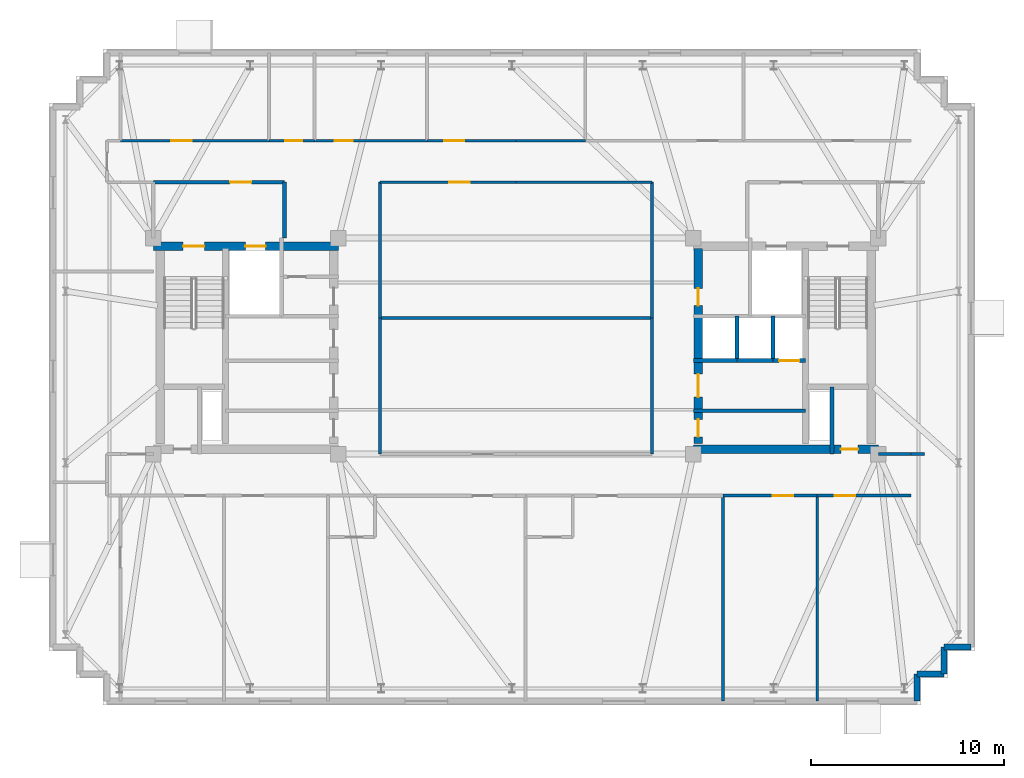
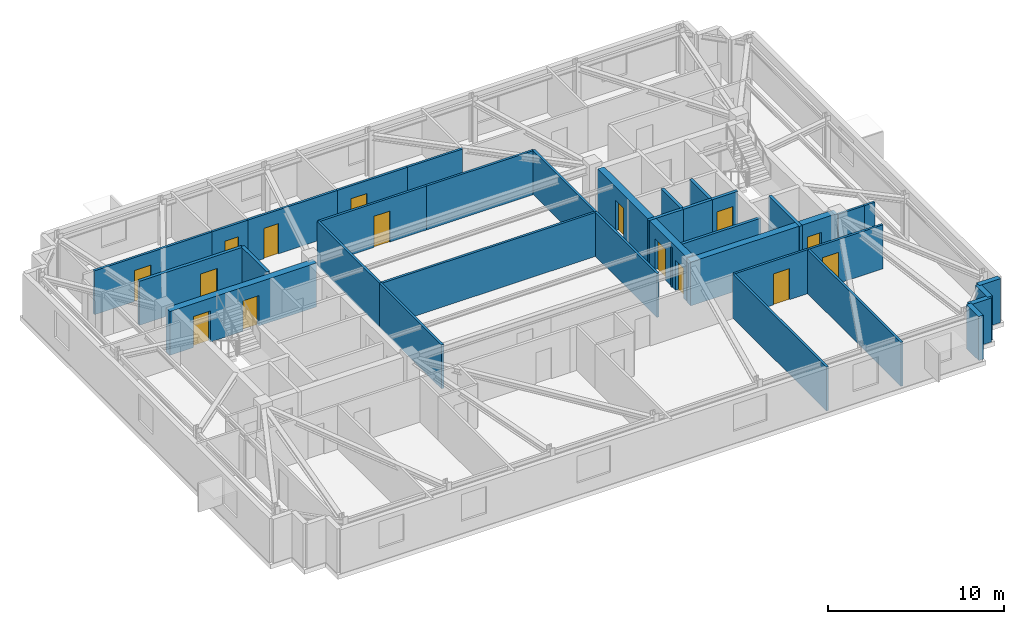
# One storey, part 7 of 11: 34 walls, 15 doors, 15 openings.
"""IFC4 building model written with IfcOpenShell, lengths in metres."""

from ifc_helpers import new_model, si_unit, direction, frame, frame_2d, origin, place, context, subcontext, project, spatial, rectangle, extrude, material, layer, layer_set, type_object, element, fill, save


model = new_model("IFC4")

# Units and contexts
model_context = context("Model", 3, precision=1e-05, world=origin(), true_north=direction((0.0, 1.0)))
body_context = subcontext(model_context, "Body", "Model", "MODEL_VIEW")
ifc_project = project(units=[si_unit("LENGTHUNIT", "METRE"), si_unit("AREAUNIT", "SQUARE_METRE"), si_unit("VOLUMEUNIT", "CUBIC_METRE"), si_unit("PLANEANGLEUNIT", "RADIAN"), si_unit("MASSUNIT", "GRAM", prefix="KILO")], contexts=[model_context])

# Site, building, storey
site_placement = place(None, origin())
site = spatial("IfcSite", under=ifc_project, at=site_placement, CompositionType="ELEMENT")
building_placement = place(site_placement, origin())
building = spatial("IfcBuilding", under=site, at=building_placement, Name="Qobustan Lattice House", CompositionType="ELEMENT")
storey_placement = place(building_placement, frame((0.0, 0.0, 251.75)))
storey = spatial("IfcBuildingStorey", under=building, at=storey_placement, Name="L71", CompositionType="ELEMENT", Elevation=251.75)

# Wall, openings, doors
ifc_material_1 = material(Name="Concrete C50/60", Category="concrete")
ifc_layer_1 = layer(ifc_material_1, 0.43994140625)
ifc_layer_set_1 = layer_set([ifc_layer_1], Name="Concrete C50/60")
wall_type_1 = type_object("IfcWallType", Name="WAL-CORE-440", PredefinedType="SHEAR", material=ifc_layer_set_1)
wall_1_placement = place(storey_placement, frame((-18.800048828125, 5.179931640625, 0.0), z_axis=(0.0, 0.0, 1.0), x_axis=(1.0, 0.0, 0.0)))
wall_1 = element("IfcWall", 1, at=wall_1_placement, inside=storey, type_object=wall_type_1, Name="L71 split-core shear wall CW-N", PredefinedType="SHEAR", context=body_context, shape_type="SweptSolid", body=[
    extrude(rectangle(XDim=9.60009765625, YDim=0.43994140625, at=frame_2d((4.800048828125, 0.0))), origin(), (0.0, 0.0, 1.0), 3.0400390625),
])
opening_1_placement = place(wall_1_placement, frame((1.550048828125, 0.0, 0.0)))
opening_1 = element("IfcOpeningElement", 2, at=opening_1_placement, cuts=wall_1, Name="Opening SD-01", PredefinedType="OPENING", context=body_context, shape_type="SweptSolid", body=[
    extrude(rectangle(XDim=1.10009765625, YDim=2.14990234375, at=frame_2d((0.550048828125, 1.074951171875))), frame((0.0, 0.22998046875, 0.0), z_axis=(0.0, -1.0, 0.0), x_axis=(1.0, 0.0, 0.0)), (0.0, 0.0, 1.0), 0.4599609375),
])
opening_2_placement = place(wall_1_placement, frame((4.77490234375, 0.0, 0.0)))
opening_2 = element("IfcOpeningElement", 3, at=opening_2_placement, cuts=wall_1, Name="Opening LD-01", PredefinedType="OPENING", context=body_context, shape_type="SweptSolid", body=[
    extrude(rectangle(XDim=1.050048828125, YDim=2.10009765625, at=frame_2d((0.52490234375, 1.050048828125))), frame((0.0, 0.22998046875, 0.0), z_axis=(0.0, -1.0, 0.0), x_axis=(1.0, 0.0, 0.0)), (0.0, 0.0, 1.0), 0.4599609375),
])
ifc_material_2 = material(Name="Persian walnut timber and steel frame door", Category="steel")
door_type_1 = type_object("IfcDoorType", Name="DOR-LIFT-LD-1050x2100", OperationType="NOTDEFINED", PredefinedType="DOOR", material=ifc_material_2)
door_1_placement = place(opening_2_placement, origin())
door_1 = element("IfcDoor", 4, at=door_1_placement, inside=storey, type_object=door_type_1, Name="L71 firefighting lift FF-W landing door", OperationType="DOUBLE_DOOR_SLIDING", OverallHeight=2.10009765625, OverallWidth=1.050048828125, PredefinedType="DOOR", context=body_context, shape_type="SweptSolid", body=[
    extrude(rectangle(XDim=1.050048828125, YDim=2.10009765625, at=frame_2d((0.52490234375, 1.050048828125))), frame((0.0, 0.02490234375, 0.0), z_axis=(0.0, -1.0, 0.0), x_axis=(1.0, 0.0, 0.0)), (0.0, 0.0, 1.0), 0.050048828125),
])
fill(opening_2, door_1)
ifc_material_3 = material(Name="Persian walnut timber and steel frame door", Category="steel")
door_type_2 = type_object("IfcDoorType", Name="DOR-STAIR-FD-1100x2150", OperationType="NOTDEFINED", PredefinedType="DOOR", material=ifc_material_3)
door_2_placement = place(opening_1_placement, origin())
door_2 = element("IfcDoor", 5, at=door_2_placement, inside=storey, type_object=door_type_2, Name="L71 exit stair ST-W1 fire door", OperationType="SINGLE_SWING_RIGHT", OverallHeight=2.14990234375, OverallWidth=1.10009765625, PredefinedType="DOOR", context=body_context, shape_type="SweptSolid", body=[
    extrude(rectangle(XDim=1.10009765625, YDim=2.14990234375, at=frame_2d((0.550048828125, 1.074951171875))), frame((0.0, 0.02490234375, 0.0), z_axis=(0.0, -1.0, 0.0), x_axis=(1.0, 0.0, 0.0)), (0.0, 0.0, 1.0), 0.050048828125),
])
fill(opening_1, door_2)

# Wall, opening, door
wall_2_placement = place(storey_placement, frame((9.199951171875, -5.35009765625, 0.0), z_axis=(0.0, 0.0, 1.0), x_axis=(1.0, 0.0, 0.0)))
wall_2 = element("IfcWall", 6, at=wall_2_placement, inside=storey, type_object=wall_type_1, Name="L71 split-core shear wall CE-S", PredefinedType="SHEAR", context=body_context, shape_type="SweptSolid", body=[
    extrude(rectangle(XDim=9.60009765625, YDim=0.43994140625, at=frame_2d((4.800048828125, 0.0))), origin(), (0.0, 0.0, 1.0), 3.0400390625),
])
opening_3_placement = place(wall_2_placement, frame((7.64990234375, 0.0, 0.0)))
opening_3 = element("IfcOpeningElement", 7, at=opening_3_placement, cuts=wall_2, Name="Opening RD-01", PredefinedType="OPENING", context=body_context, shape_type="SweptSolid", body=[
    extrude(rectangle(XDim=0.89990234375, YDim=2.10009765625, at=frame_2d((0.449951171875, 1.050048828125))), frame((0.0, 0.22998046875, 0.0), z_axis=(0.0, -1.0, 0.0), x_axis=(1.0, 0.0, 0.0)), (0.0, 0.0, 1.0), 0.4599609375),
])
ifc_material_4 = material(Name="Persian walnut timber and steel frame door", Category="steel")
door_type_3 = type_object("IfcDoorType", Name="DOR-RISER-FD-900x2100", OperationType="NOTDEFINED", PredefinedType="DOOR", material=ifc_material_4)
door_3_placement = place(opening_3_placement, origin())
door_3 = element("IfcDoor", 8, at=door_3_placement, inside=storey, type_object=door_type_3, Name="L71 core service riser access door E", OperationType="SINGLE_SWING_LEFT", OverallHeight=2.10009765625, OverallWidth=0.89990234375, PredefinedType="DOOR", context=body_context, shape_type="SweptSolid", body=[
    extrude(rectangle(XDim=0.89990234375, YDim=2.10009765625, at=frame_2d((0.449951171875, 1.050048828125))), frame((0.0, 0.02490234375, 0.0), z_axis=(0.0, -1.0, 0.0), x_axis=(1.0, 0.0, 0.0)), (0.0, 0.0, 1.0), 0.050048828125),
])
fill(opening_3, door_3)

# Wall, openings, doors
wall_3_placement = place(storey_placement, frame((9.449951171875, -5.050048828125, 0.0), z_axis=(0.0, 0.0, 1.0), x_axis=(0.0, 1.0, 0.0)))
wall_3 = element("IfcWall", 9, at=wall_3_placement, inside=storey, type_object=wall_type_1, Name="L71 split-core shear wall CE-W", PredefinedType="SHEAR", context=body_context, shape_type="SweptSolid", body=[
    extrude(rectangle(XDim=10.10009765625, YDim=0.43994140625, at=frame_2d((5.050048828125, 0.0))), origin(), (0.0, 0.0, 1.0), 3.0400390625),
])
opening_4_placement = place(wall_3_placement, frame((7.14990234375, 0.0, 0.0)))
opening_4 = element("IfcOpeningElement", 10, at=opening_4_placement, cuts=wall_3, Name="Opening RD-01", PredefinedType="OPENING", context=body_context, shape_type="SweptSolid", body=[
    extrude(rectangle(XDim=0.89990234375, YDim=2.10009765625, at=frame_2d((0.449951171875, 1.050048828125))), frame((0.0, 0.22998046875, 0.0), z_axis=(0.0, -1.0, 0.0), x_axis=(1.0, 0.0, 0.0)), (0.0, 0.0, 1.0), 0.4599609375),
])
opening_5_placement = place(wall_3_placement, frame((2.39990234375, 0.0, 0.0)))
opening_5 = element("IfcOpeningElement", 11, at=opening_5_placement, cuts=wall_3, Name="Opening FD-01", PredefinedType="OPENING", context=body_context, shape_type="SweptSolid", body=[
    extrude(rectangle(XDim=1.199951171875, YDim=2.14990234375, at=frame_2d((0.60009765625, 1.074951171875))), frame((0.0, 0.22998046875, 0.0), z_axis=(0.0, -1.0, 0.0), x_axis=(1.0, 0.0, 0.0)), (0.0, 0.0, 1.0), 0.4599609375),
])
opening_6_placement = place(wall_3_placement, frame((0.35009765625, 0.0, 0.0)))
opening_6 = element("IfcOpeningElement", 12, at=opening_6_placement, cuts=wall_3, Name="Opening RD-01", PredefinedType="OPENING", context=body_context, shape_type="SweptSolid", body=[
    extrude(rectangle(XDim=0.89990234375, YDim=2.10009765625, at=frame_2d((0.449951171875, 1.050048828125))), frame((0.0, 0.22998046875, 0.0), z_axis=(0.0, -1.0, 0.0), x_axis=(1.0, 0.0, 0.0)), (0.0, 0.0, 1.0), 0.4599609375),
])
ifc_material_5 = material(Name="Persian walnut timber and steel frame door", Category="steel")
door_type_4 = type_object("IfcDoorType", Name="DOR-LOBBY-FD-1200x2150", OperationType="NOTDEFINED", PredefinedType="DOOR", material=ifc_material_5)
door_4_placement = place(opening_5_placement, origin())
door_4 = element("IfcDoor", 13, at=door_4_placement, inside=storey, type_object=door_type_4, Name="L71 East passenger lift lobby fire door", OperationType="SINGLE_SWING_RIGHT", OverallHeight=2.14990234375, OverallWidth=1.199951171875, PredefinedType="DOOR", context=body_context, shape_type="SweptSolid", body=[
    extrude(rectangle(XDim=1.199951171875, YDim=2.14990234375, at=frame_2d((0.60009765625, 1.074951171875))), frame((0.0, 0.02490234375, 0.0), z_axis=(0.0, -1.0, 0.0), x_axis=(1.0, 0.0, 0.0)), (0.0, 0.0, 1.0), 0.050048828125),
])
fill(opening_5, door_4)
door_5_placement = place(opening_4_placement, origin())
door_5 = element("IfcDoor", 14, at=door_5_placement, inside=storey, type_object=door_type_3, Name="L71 Housekeeping linen store fire door", OperationType="SINGLE_SWING_LEFT", OverallHeight=2.10009765625, OverallWidth=0.89990234375, PredefinedType="DOOR", context=body_context, shape_type="SweptSolid", body=[
    extrude(rectangle(XDim=0.89990234375, YDim=2.10009765625, at=frame_2d((0.449951171875, 1.050048828125))), frame((0.0, 0.02490234375, 0.0), z_axis=(0.0, -1.0, 0.0), x_axis=(1.0, 0.0, 0.0)), (0.0, 0.0, 1.0), 0.050048828125),
])
fill(opening_4, door_5)
door_6_placement = place(opening_6_placement, origin())
door_6 = element("IfcDoor", 15, at=door_6_placement, inside=storey, type_object=door_type_3, Name="L71 Graduate seminar alcove fire door", OperationType="SINGLE_SWING_LEFT", OverallHeight=2.10009765625, OverallWidth=0.89990234375, PredefinedType="DOOR", context=body_context, shape_type="SweptSolid", body=[
    extrude(rectangle(XDim=0.89990234375, YDim=2.10009765625, at=frame_2d((0.449951171875, 1.050048828125))), frame((0.0, 0.02490234375, 0.0), z_axis=(0.0, -1.0, 0.0), x_axis=(1.0, 0.0, 0.0)), (0.0, 0.0, 1.0), 0.050048828125),
])
fill(opening_6, door_6)

# Walls
ifc_material_6 = material(Name="Precast concrete C40/50", Category="concrete")
ifc_layer_2 = layer(ifc_material_6, 0.320068359375)
ifc_layer_set_2 = layer_set([ifc_layer_2], Name="Precast concrete C40/50")
wall_type_2 = type_object("IfcWallType", Name="WAL-EXT-STONE-320", PredefinedType="SOLIDWALL", material=ifc_layer_set_2)
wall_4_placement = place(storey_placement, frame((23.60009765625, -15.60009765625, 0.0), z_axis=(0.0, 0.0, 1.0), x_axis=(-1.0, 0.0, 0.0)))
element("IfcWall", 16, at=wall_4_placement, inside=storey, type_object=wall_type_2, Name="L71 exterior limestone-clad wall 16", PredefinedType="SOLIDWALL", context=body_context, shape_type="SweptSolid", body=[
    extrude(rectangle(XDim=1.400146484375, YDim=0.320068359375, at=frame_2d((0.7001953125, 0.0))), origin(), (0.0, 0.0, 1.0), 3.0400390625),
])
for number, where, z_axis, x_axis, name in (
    (17, (22.199951171875, -15.60009765625, 0.0), (0.0, 0.0, 1.0), (0.0, -1.0, 0.0), "L71 exterior limestone-clad wall 17"),
    (18, (22.199951171875, -17.0, 0.0), (0.0, 0.0, 1.0), (-1.0, 0.0, 0.0), "L71 exterior limestone-clad wall 18"),
    (19, (20.800048828125, -17.0, 0.0), (0.0, 0.0, 1.0), (0.0, -1.0, 0.0), "L71 exterior limestone-clad wall 19"),
):
    element("IfcWall", number, at=place(storey_placement, frame(where, z_axis=z_axis, x_axis=x_axis)), inside=storey, type_object=wall_type_2, Name=name, PredefinedType="SOLIDWALL", context=body_context, shape_type="SweptSolid", body=[
        extrude(rectangle(XDim=1.39990234375, YDim=0.320068359375, at=frame_2d((0.699951171875, 0.0))), origin(), (0.0, 0.0, 1.0), 3.0400390625),
    ])
ifc_material_7 = material(Name="Gypsum fireboard acoustic partition", Category="gypsum")
ifc_layer_3 = layer(ifc_material_7, 0.179931640625)
ifc_layer_set_3 = layer_set([ifc_layer_3], Name="Gypsum fireboard acoustic partition")
wall_type_3 = type_object("IfcWallType", Name="WAL-FIRE-180", PredefinedType="PARTITIONING", material=ifc_layer_set_3)
wall_5_placement = place(storey_placement, frame((9.199951171875, -3.35009765625, 0.0), z_axis=(0.0, 0.0, 1.0), x_axis=(1.0, 0.0, 0.0)))
element("IfcWall", 20, at=wall_5_placement, inside=storey, type_object=wall_type_3, Name="L71 interior partition 21", PredefinedType="PARTITIONING", context=body_context, shape_type="SweptSolid", body=[
    extrude(rectangle(XDim=5.820068359375, YDim=0.179931640625, at=frame_2d((2.91015625, 0.0))), origin(), (0.0, 0.0, 1.0), 2.7548828125),
])

# Wall, opening, door
ifc_material_8 = material(Name="Acoustic twin-stud gypsum partition", Category="gypsum")
ifc_layer_4 = layer(ifc_material_8, 0.14990234375)
ifc_layer_set_4 = layer_set([ifc_layer_4], Name="Acoustic twin-stud gypsum partition")
wall_type_4 = type_object("IfcWallType", Name="WAL-PART-150", PredefinedType="PARTITIONING", material=ifc_layer_set_4)
wall_6_placement = place(storey_placement, frame((-20.5, 10.64990234375, 0.0), z_axis=(0.0, 0.0, 1.0), x_axis=(1.0, 0.0, 0.0)))
wall_6 = element("IfcWall", 21, at=wall_6_placement, inside=storey, type_object=wall_type_4, Name="L71 interior partition 33", PredefinedType="PARTITIONING", context=body_context, shape_type="SweptSolid", body=[
    extrude(rectangle(XDim=7.699951171875, YDim=0.14990234375, at=frame_2d((3.85009765625, 0.0))), origin(), (0.0, 0.0, 1.0), 3.0400390625),
])
opening_7_placement = place(wall_6_placement, frame((2.638671875, 0.0, 0.0)))
opening_7 = element("IfcOpeningElement", 22, at=opening_7_placement, cuts=wall_6, Name="Opening ID-02", PredefinedType="OPENING", context=body_context, shape_type="SweptSolid", body=[
    extrude(rectangle(XDim=1.050048828125, YDim=2.14990234375, at=frame_2d((0.52490234375, 1.074951171875))), frame((0.0, 0.0849609375, 0.0), z_axis=(0.0, -1.0, 0.0), x_axis=(1.0, 0.0, 0.0)), (0.0, 0.0, 1.0), 0.169921875),
])
ifc_material_9 = material(Name="Persian walnut timber and steel frame door", Category="steel")
door_type_5 = type_object("IfcDoorType", Name="DOR-STUDY-1050x2150", OperationType="NOTDEFINED", PredefinedType="DOOR", material=ifc_material_9)
door_7_placement = place(opening_7_placement, origin())
door_7 = element("IfcDoor", 23, at=door_7_placement, inside=storey, type_object=door_type_5, Name="L71 North-west floor corridor to Focus study room N1 door", OperationType="SINGLE_SWING_LEFT", OverallHeight=2.14990234375, OverallWidth=1.050048828125, PredefinedType="DOOR", context=body_context, shape_type="SweptSolid", body=[
    extrude(rectangle(XDim=1.050048828125, YDim=2.14990234375, at=frame_2d((0.52490234375, 1.074951171875))), frame((0.0, 0.02490234375, 0.0), z_axis=(0.0, -1.0, 0.0), x_axis=(1.0, 0.0, 0.0)), (0.0, 0.0, 1.0), 0.050048828125),
])
fill(opening_7, door_7)

wall_7_placement = place(storey_placement, frame((-10.449951171875, 10.64990234375, 0.0), z_axis=(0.0, 0.0, 1.0), x_axis=(1.0, 0.0, 0.0)))
wall_7 = element("IfcWall", 24, at=wall_7_placement, inside=storey, type_object=wall_type_4, Name="L71 interior partition 35", PredefinedType="PARTITIONING", context=body_context, shape_type="SweptSolid", body=[
    extrude(rectangle(XDim=5.849853515625, YDim=0.14990234375, at=frame_2d((2.9248046875, 0.0))), origin(), (0.0, 0.0, 1.0), 3.0400390625),
])
opening_8_placement = place(wall_7_placement, frame((1.047607421875, 0.0, 0.0)))
opening_8 = element("IfcOpeningElement", 25, at=opening_8_placement, cuts=wall_7, Name="Opening ID-01", PredefinedType="OPENING", context=body_context, shape_type="SweptSolid", body=[
    extrude(rectangle(XDim=0.949951171875, YDim=2.10009765625, at=frame_2d((0.47509765625, 1.050048828125))), frame((0.0, 0.0849609375, 0.0), z_axis=(0.0, -1.0, 0.0), x_axis=(1.0, 0.0, 0.0)), (0.0, 0.0, 1.0), 0.169921875),
])
ifc_material_10 = material(Name="Persian walnut timber and steel frame door", Category="steel")
door_type_6 = type_object("IfcDoorType", Name="DOR-ROOM-950x2100", OperationType="NOTDEFINED", PredefinedType="DOOR", material=ifc_material_10)
door_8_placement = place(opening_8_placement, origin())
door_8 = element("IfcDoor", 26, at=door_8_placement, inside=storey, type_object=door_type_6, Name="L71 North-west floor corridor to Laundry utility room door", OperationType="SINGLE_SWING_LEFT", OverallHeight=2.10009765625, OverallWidth=0.949951171875, PredefinedType="DOOR", context=body_context, shape_type="SweptSolid", body=[
    extrude(rectangle(XDim=0.949951171875, YDim=2.10009765625, at=frame_2d((0.47509765625, 1.050048828125))), frame((0.0, 0.02490234375, 0.0), z_axis=(0.0, -1.0, 0.0), x_axis=(1.0, 0.0, 0.0)), (0.0, 0.0, 1.0), 0.050048828125),
])
fill(opening_8, door_8)

wall_8_placement = place(storey_placement, frame((-4.60009765625, 10.64990234375, 0.0), z_axis=(0.0, 0.0, 1.0), x_axis=(1.0, 0.0, 0.0)))
wall_8 = element("IfcWall", 27, at=wall_8_placement, inside=storey, type_object=wall_type_4, Name="L71 interior partition 36", PredefinedType="PARTITIONING", context=body_context, shape_type="SweptSolid", body=[
    extrude(rectangle(XDim=4.60009765625, YDim=0.14990234375, at=frame_2d((2.300048828125, 0.0))), origin(), (0.0, 0.0, 1.0), 3.0400390625),
])
opening_9_placement = place(wall_8_placement, frame((0.87890625, 0.0, 0.0)))
opening_9 = element("IfcOpeningElement", 28, at=opening_9_placement, cuts=wall_8, Name="Opening ID-02", PredefinedType="OPENING", context=body_context, shape_type="SweptSolid", body=[
    extrude(rectangle(XDim=1.050048828125, YDim=2.14990234375, at=frame_2d((0.52490234375, 1.074951171875))), frame((0.0, 0.0849609375, 0.0), z_axis=(0.0, -1.0, 0.0), x_axis=(1.0, 0.0, 0.0)), (0.0, 0.0, 1.0), 0.169921875),
])
door_9_placement = place(opening_9_placement, origin())
door_9 = element("IfcDoor", 29, at=door_9_placement, inside=storey, type_object=door_type_5, Name="L71 North-west floor corridor to Focus study room N3 door", OperationType="SINGLE_SWING_RIGHT", OverallHeight=2.14990234375, OverallWidth=1.050048828125, PredefinedType="DOOR", context=body_context, shape_type="SweptSolid", body=[
    extrude(rectangle(XDim=1.050048828125, YDim=2.14990234375, at=frame_2d((0.52490234375, 1.074951171875))), frame((0.0, 0.02490234375, 0.0), z_axis=(0.0, -1.0, 0.0), x_axis=(1.0, 0.0, 0.0)), (0.0, 0.0, 1.0), 0.050048828125),
])
fill(opening_9, door_9)

wall_9_placement = place(storey_placement, frame((0.0, 8.5, 0.0), z_axis=(0.0, 0.0, 1.0), x_axis=(-1.0, 0.0, 0.0)))
wall_9 = element("IfcWall", 30, at=wall_9_placement, inside=storey, type_object=wall_type_4, Name="L71 interior partition 37", PredefinedType="PARTITIONING", context=body_context, shape_type="SweptSolid", body=[
    extrude(rectangle(XDim=7.050048828125, YDim=0.14990234375, at=frame_2d((3.52490234375, 0.0))), origin(), (0.0, 0.0, 1.0), 3.0400390625),
])
opening_10_placement = place(wall_9_placement, frame((2.39501953125, 0.0, 0.0)))
opening_10 = element("IfcOpeningElement", 31, at=opening_10_placement, cuts=wall_9, Name="Opening ID-02", PredefinedType="OPENING", context=body_context, shape_type="SweptSolid", body=[
    extrude(rectangle(XDim=1.050048828125, YDim=2.14990234375, at=frame_2d((0.52490234375, 1.074951171875))), frame((0.0, 0.0849609375, 0.0), z_axis=(0.0, -1.0, 0.0), x_axis=(1.0, 0.0, 0.0)), (0.0, 0.0, 1.0), 0.169921875),
])
door_10_placement = place(opening_10_placement, origin())
door_10 = element("IfcDoor", 32, at=door_10_placement, inside=storey, type_object=door_type_5, Name="L71 North-west floor corridor to Shared social lounge door", OperationType="SINGLE_SWING_LEFT", OverallHeight=2.14990234375, OverallWidth=1.050048828125, PredefinedType="DOOR", context=body_context, shape_type="SweptSolid", body=[
    extrude(rectangle(XDim=1.050048828125, YDim=2.14990234375, at=frame_2d((0.52490234375, 1.074951171875))), frame((0.0, 0.02490234375, 0.0), z_axis=(0.0, -1.0, 0.0), x_axis=(1.0, 0.0, 0.0)), (0.0, 0.0, 1.0), 0.050048828125),
])
fill(opening_10, door_10)

# Walls
wall_10_placement = place(storey_placement, frame((0.0, 10.64990234375, 0.0), z_axis=(0.0, 0.0, 1.0), x_axis=(1.0, 0.0, 0.0)))
element("IfcWall", 33, at=wall_10_placement, inside=storey, type_object=wall_type_4, Name="L71 interior partition 40", PredefinedType="PARTITIONING", context=body_context, shape_type="SweptSolid", body=[
    extrude(rectangle(XDim=3.60009765625, YDim=0.14990234375, at=frame_2d((1.800048828125, 0.0))), origin(), (0.0, 0.0, 1.0), 3.0400390625),
])
wall_11_placement = place(storey_placement, frame((7.050048828125, 8.5, 0.0), z_axis=(0.0, 0.0, 1.0), x_axis=(-1.0, 0.0, 0.0)))
element("IfcWall", 34, at=wall_11_placement, inside=storey, type_object=wall_type_4, Name="L71 interior partition 43", PredefinedType="PARTITIONING", context=body_context, shape_type="SweptSolid", body=[
    extrude(rectangle(XDim=7.050048828125, YDim=0.14990234375, at=frame_2d((3.52490234375, 0.0))), origin(), (0.0, 0.0, 1.0), 3.0400390625),
])
wall_12_placement = place(storey_placement, frame((18.800048828125, -5.60009765625, 0.0), z_axis=(0.0, 0.0, 1.0), x_axis=(1.0, 0.0, 0.0)))
element("IfcWall", 35, at=wall_12_placement, inside=storey, type_object=wall_type_4, Name="L71 interior partition 54", PredefinedType="PARTITIONING", context=body_context, shape_type="SweptSolid", body=[
    extrude(rectangle(XDim=1.699951171875, YDim=0.14990234375, at=frame_2d((0.85009765625, 0.0))), origin(), (0.0, 0.0, 1.0), 3.0400390625),
])
wall_13_placement = place(storey_placement, frame((20.5, -5.60009765625, 0.0), z_axis=(0.0, 0.0, 1.0), x_axis=(1.0, 0.0, 0.0)))
element("IfcWall", 36, at=wall_13_placement, inside=storey, type_object=wall_type_4, Name="L71 interior partition 55", PredefinedType="PARTITIONING", context=body_context, shape_type="SweptSolid", body=[
    extrude(rectangle(XDim=0.699951171875, YDim=0.14990234375, at=frame_2d((0.35009765625, 0.0))), origin(), (0.0, 0.0, 1.0), 3.0400390625),
])

# Wall, opening, door
wall_14_placement = place(storey_placement, frame((15.625, -7.75, 0.0), z_axis=(0.0, 0.0, 1.0), x_axis=(-1.0, 0.0, 0.0)))
wall_14 = element("IfcWall", 37, at=wall_14_placement, inside=storey, type_object=wall_type_4, Name="L71 interior partition 59", PredefinedType="PARTITIONING", context=body_context, shape_type="SweptSolid", body=[
    extrude(rectangle(XDim=4.875, YDim=0.14990234375, at=frame_2d((2.4375, 0.0))), origin(), (0.0, 0.0, 1.0), 3.0400390625),
])
opening_11_placement = place(wall_14_placement, frame((1.24609375, 0.0, 0.0)))
opening_11 = element("IfcOpeningElement", 38, at=opening_11_placement, cuts=wall_14, Name="Opening ID-02", PredefinedType="OPENING", context=body_context, shape_type="SweptSolid", body=[
    extrude(rectangle(XDim=1.050048828125, YDim=2.14990234375, at=frame_2d((0.52490234375, 1.074951171875))), frame((0.0, 0.0849609375, 0.0), z_axis=(0.0, -1.0, 0.0), x_axis=(1.0, 0.0, 0.0)), (0.0, 0.0, 1.0), 0.169921875),
])
door_11_placement = place(opening_11_placement, origin())
door_11 = element("IfcDoor", 39, at=door_11_placement, inside=storey, type_object=door_type_5, Name="L71 South-east floor corridor to Group study room door", OperationType="SINGLE_SWING_LEFT", OverallHeight=2.14990234375, OverallWidth=1.050048828125, PredefinedType="DOOR", context=body_context, shape_type="SweptSolid", body=[
    extrude(rectangle(XDim=1.050048828125, YDim=2.14990234375, at=frame_2d((0.52490234375, 1.074951171875))), frame((0.0, 0.02490234375, 0.0), z_axis=(0.0, -1.0, 0.0), x_axis=(1.0, 0.0, 0.0)), (0.0, 0.0, 1.0), 0.050048828125),
])
fill(opening_11, door_11)

wall_15_placement = place(storey_placement, frame((20.5, -7.75, 0.0), z_axis=(0.0, 0.0, 1.0), x_axis=(-1.0, 0.0, 0.0)))
wall_15 = element("IfcWall", 40, at=wall_15_placement, inside=storey, type_object=wall_type_4, Name="L71 interior partition 60", PredefinedType="PARTITIONING", context=body_context, shape_type="SweptSolid", body=[
    extrude(rectangle(XDim=4.875, YDim=0.14990234375, at=frame_2d((2.4375, 0.0))), origin(), (0.0, 0.0, 1.0), 3.0400390625),
])
opening_12_placement = place(wall_15_placement, frame((2.911865234375, 0.0, 0.0)))
opening_12 = element("IfcOpeningElement", 41, at=opening_12_placement, cuts=wall_15, Name="Opening ID-02", PredefinedType="OPENING", context=body_context, shape_type="SweptSolid", body=[
    extrude(rectangle(XDim=1.050048828125, YDim=2.14990234375, at=frame_2d((0.52490234375, 1.074951171875))), frame((0.0, 0.0849609375, 0.0), z_axis=(0.0, -1.0, 0.0), x_axis=(1.0, 0.0, 0.0)), (0.0, 0.0, 1.0), 0.169921875),
])
door_12_placement = place(opening_12_placement, origin())
door_12 = element("IfcDoor", 42, at=door_12_placement, inside=storey, type_object=door_type_5, Name="L71 South-east floor corridor to Academic seminar room door", OperationType="SINGLE_SWING_RIGHT", OverallHeight=2.14990234375, OverallWidth=1.050048828125, PredefinedType="DOOR", context=body_context, shape_type="SweptSolid", body=[
    extrude(rectangle(XDim=1.050048828125, YDim=2.14990234375, at=frame_2d((0.52490234375, 1.074951171875))), frame((0.0, 0.02490234375, 0.0), z_axis=(0.0, -1.0, 0.0), x_axis=(1.0, 0.0, 0.0)), (0.0, 0.0, 1.0), 0.050048828125),
])
fill(opening_12, door_12)

# Walls
for number, where, z_axis, x_axis, name in (
    (43, (-7.050048828125, 1.449951171875, 0.0), (0.0, 0.0, 1.0), (0.0, -1.0, 0.0), "L71 interior partition 62"),
    (44, (-7.050048828125, 8.5, 0.0), (0.0, 0.0, 1.0), (0.0, -1.0, 0.0), "L71 interior partition 63"),
    (45, (7.050048828125, -5.60009765625, 0.0), (0.0, 0.0, 1.0), (0.0, 1.0, 0.0), "L71 interior partition 64"),
    (46, (7.050048828125, 1.449951171875, 0.0), (0.0, 0.0, 1.0), (0.0, 1.0, 0.0), "L71 interior partition 65"),
):
    element("IfcWall", number, at=place(storey_placement, frame(where, z_axis=z_axis, x_axis=x_axis)), inside=storey, type_object=wall_type_4, Name=name, PredefinedType="PARTITIONING", context=body_context, shape_type="SweptSolid", body=[
        extrude(rectangle(XDim=7.050048828125, YDim=0.14990234375, at=frame_2d((3.52490234375, 0.0))), origin(), (0.0, 0.0, 1.0), 3.0400390625),
    ])
for number, where, z_axis, x_axis, name in (
    (47, (10.75, -7.75, 0.0), (0.0, 0.0, 1.0), (0.0, -1.0, 0.0), "L71 interior partition 84"),
    (48, (15.625, -7.75, 0.0), (0.0, 0.0, 1.0), (0.0, -1.0, 0.0), "L71 interior partition 85"),
):
    element("IfcWall", number, at=place(storey_placement, frame(where, z_axis=z_axis, x_axis=x_axis)), inside=storey, type_object=wall_type_4, Name=name, PredefinedType="PARTITIONING", context=body_context, shape_type="SweptSolid", body=[
        extrude(rectangle(XDim=10.64990234375, YDim=0.14990234375, at=frame_2d((5.324951171875, 0.0))), origin(), (0.0, 0.0, 1.0), 3.0400390625),
    ])
wall_16_placement = place(storey_placement, frame((-7.050048828125, 1.449951171875, 0.0), z_axis=(0.0, 0.0, 1.0), x_axis=(1.0, 0.0, 0.0)))
element("IfcWall", 49, at=wall_16_placement, inside=storey, type_object=wall_type_4, Name="L71 interior partition 86", PredefinedType="PARTITIONING", context=body_context, shape_type="SweptSolid", body=[
    extrude(rectangle(XDim=14.10009765625, YDim=0.14990234375, at=frame_2d((7.050048828125, 0.0))), origin(), (0.0, 0.0, 1.0), 3.0400390625),
])

# Wall, opening, door
ifc_material_11 = material(Name="Two-hour gypsum fireboard acoustic partition", Category="gypsum")
ifc_layer_5 = layer(ifc_material_11, 0.199951171875)
ifc_layer_set_5 = layer_set([ifc_layer_5], Name="Two-hour gypsum fireboard acoustic partition")
wall_type_5 = type_object("IfcWallType", Name="WAL-PROT-200", PredefinedType="PARTITIONING", material=ifc_layer_set_5)
wall_17_placement = place(storey_placement, frame((-12.0, 8.5, 0.0), z_axis=(0.0, 0.0, 1.0), x_axis=(-1.0, 0.0, 0.0)))
wall_17 = element("IfcWall", 50, at=wall_17_placement, inside=storey, type_object=wall_type_5, Name="L71 interior partition 4", PredefinedType="PARTITIONING", context=body_context, shape_type="SweptSolid", body=[
    extrude(rectangle(XDim=6.800048828125, YDim=0.199951171875, at=frame_2d((3.39990234375, 0.0))), origin(), (0.0, 0.0, 1.0), 3.0400390625),
])
opening_13_placement = place(wall_17_placement, frame((1.715087890625, 0.0, 0.0)))
opening_13 = element("IfcOpeningElement", 51, at=opening_13_placement, cuts=wall_17, Name="Opening SD-01", PredefinedType="OPENING", context=body_context, shape_type="SweptSolid", body=[
    extrude(rectangle(XDim=1.10009765625, YDim=2.14990234375, at=frame_2d((0.550048828125, 1.074951171875))), frame((0.0, 0.10986328125, 0.0), z_axis=(0.0, -1.0, 0.0), x_axis=(1.0, 0.0, 0.0)), (0.0, 0.0, 1.0), 0.219970703125),
])
door_13_placement = place(opening_13_placement, origin())
door_13 = element("IfcDoor", 52, at=door_13_placement, inside=storey, type_object=door_type_2, Name="L71 West firefighting lift lobby to North-west floor corridor door", OperationType="SINGLE_SWING_RIGHT", OverallHeight=2.14990234375, OverallWidth=1.10009765625, PredefinedType="DOOR", context=body_context, shape_type="SweptSolid", body=[
    extrude(rectangle(XDim=1.10009765625, YDim=2.14990234375, at=frame_2d((0.550048828125, 1.074951171875))), frame((0.0, 0.02490234375, 0.0), z_axis=(0.0, -1.0, 0.0), x_axis=(1.0, 0.0, 0.0)), (0.0, 0.0, 1.0), 0.050048828125),
])
fill(opening_13, door_13)

# Walls
wall_18_placement = place(storey_placement, frame((-12.0, 5.60009765625, 0.0), z_axis=(0.0, 0.0, 1.0), x_axis=(0.0, 1.0, 0.0)))
element("IfcWall", 53, at=wall_18_placement, inside=storey, type_object=wall_type_5, Name="L71 interior partition 5", PredefinedType="PARTITIONING", context=body_context, shape_type="SweptSolid", body=[
    extrude(rectangle(XDim=2.89990234375, YDim=0.199951171875, at=frame_2d((1.449951171875, 0.0))), origin(), (0.0, 0.0, 1.0), 3.0400390625),
])
ifc_material_12 = material(Name="Concrete C40/50", Category="concrete")
ifc_layer_6 = layer(ifc_material_12, 0.199951171875)
ifc_layer_set_6 = layer_set([ifc_layer_6], Name="Concrete C40/50")
wall_type_6 = type_object("IfcWallType", Name="WAL-SHAFT-200", PredefinedType="PARTITIONING", material=ifc_layer_set_6)
wall_19_placement = place(storey_placement, frame((16.39990234375, -2.110107421875, 0.0), z_axis=(0.0, 0.0, 1.0), x_axis=(0.0, -1.0, 0.0)))
element("IfcWall", 54, at=wall_19_placement, inside=storey, type_object=wall_type_6, Name="L71 interior partition 15", PredefinedType="PARTITIONING", context=body_context, shape_type="SweptSolid", body=[
    extrude(rectangle(XDim=3.489990234375, YDim=0.199951171875, at=frame_2d((1.7451171875, 0.0))), origin(), (0.0, 0.0, 1.0), 3.0400390625),
])
wall_20_placement = place(storey_placement, frame((11.4599609375, -0.75, 0.0), z_axis=(0.0, 0.0, 1.0), x_axis=(-1.0, 0.0, 0.0)))
element("IfcWall", 55, at=wall_20_placement, inside=storey, type_object=wall_type_6, Name="L71 interior partition 22", PredefinedType="PARTITIONING", context=body_context, shape_type="SweptSolid", body=[
    extrude(rectangle(XDim=2.260009765625, YDim=0.199951171875, at=frame_2d((1.1298828125, 0.0))), origin(), (0.0, 0.0, 1.0), 3.0400390625),
])
wall_21_placement = place(storey_placement, frame((13.340087890625, -0.75, 0.0), z_axis=(0.0, 0.0, 1.0), x_axis=(-1.0, 0.0, 0.0)))
element("IfcWall", 56, at=wall_21_placement, inside=storey, type_object=wall_type_6, Name="L71 interior partition 23", PredefinedType="PARTITIONING", context=body_context, shape_type="SweptSolid", body=[
    extrude(rectangle(XDim=1.880126953125, YDim=0.199951171875, at=frame_2d((0.93994140625, 0.0))), origin(), (0.0, 0.0, 1.0), 3.0400390625),
])

# Wall, opening, door
wall_22_placement = place(storey_placement, frame((15.02001953125, -0.75, 0.0), z_axis=(0.0, 0.0, 1.0), x_axis=(-1.0, 0.0, 0.0)))
wall_22 = element("IfcWall", 57, at=wall_22_placement, inside=storey, type_object=wall_type_6, Name="L71 interior partition 24", PredefinedType="PARTITIONING", context=body_context, shape_type="SweptSolid", body=[
    extrude(rectangle(XDim=1.679931640625, YDim=0.199951171875, at=frame_2d((0.83984375, 0.0))), origin(), (0.0, 0.0, 1.0), 3.0400390625),
])
opening_14_placement = place(wall_22_placement, frame((0.31494140625, 0.0, 0.0)))
opening_14 = element("IfcOpeningElement", 58, at=opening_14_placement, cuts=wall_22, Name="Opening LD-01", PredefinedType="OPENING", context=body_context, shape_type="SweptSolid", body=[
    extrude(rectangle(XDim=1.050048828125, YDim=2.10009765625, at=frame_2d((0.52490234375, 1.050048828125))), frame((0.0, 0.10986328125, 0.0), z_axis=(0.0, -1.0, 0.0), x_axis=(1.0, 0.0, 0.0)), (0.0, 0.0, 1.0), 0.219970703125),
])
door_14_placement = place(opening_14_placement, origin())
door_14 = element("IfcDoor", 59, at=door_14_placement, inside=storey, type_object=door_type_1, Name="L71 lift landing door", OperationType="DOUBLE_DOOR_SLIDING", OverallHeight=2.10009765625, OverallWidth=1.050048828125, PredefinedType="DOOR", context=body_context, shape_type="SweptSolid", body=[
    extrude(rectangle(XDim=1.050048828125, YDim=2.10009765625, at=frame_2d((0.52490234375, 1.050048828125))), frame((0.0, 0.02490234375, 0.0), z_axis=(0.0, -1.0, 0.0), x_axis=(1.0, 0.0, 0.0)), (0.0, 0.0, 1.0), 0.050048828125),
])
fill(opening_14, door_14)

# Walls
for number, where, z_axis, x_axis, name in (
    (60, (11.4599609375, -0.75, 0.0), (0.0, 0.0, 1.0), (0.0, 1.0, 0.0), "L71 interior partition 27"),
    (61, (13.340087890625, -0.75, 0.0), (0.0, 0.0, 1.0), (0.0, 1.0, 0.0), "L71 interior partition 28"),
):
    element("IfcWall", number, at=place(storey_placement, frame(where, z_axis=z_axis, x_axis=x_axis)), inside=storey, type_object=wall_type_6, Name=name, PredefinedType="PARTITIONING", context=body_context, shape_type="SweptSolid", body=[
        extrude(rectangle(XDim=2.300048828125, YDim=0.199951171875, at=frame_2d((1.14990234375, 0.0))), origin(), (0.0, 0.0, 1.0), 3.0400390625),
    ])

# Wall, opening, door
ifc_material_13 = material(Name="Moisture-resistant acoustic plumbing wall", Category="gypsum")
ifc_layer_7 = layer(ifc_material_13, 0.14990234375)
ifc_layer_set_7 = layer_set([ifc_layer_7], Name="Moisture-resistant acoustic plumbing wall")
wall_type_7 = type_object("IfcWallType", Name="WAL-WET-150", PredefinedType="PLUMBINGWALL", material=ifc_layer_set_7)
wall_23_placement = place(storey_placement, frame((-12.800048828125, 10.64990234375, 0.0), z_axis=(0.0, 0.0, 1.0), x_axis=(1.0, 0.0, 0.0)))
wall_23 = element("IfcWall", 62, at=wall_23_placement, inside=storey, type_object=wall_type_7, Name="L71 interior partition 34", PredefinedType="PLUMBINGWALL", context=body_context, shape_type="SweptSolid", body=[
    extrude(rectangle(XDim=2.35009765625, YDim=0.14990234375, at=frame_2d((1.175048828125, 0.0))), origin(), (0.0, 0.0, 1.0), 3.0400390625),
])
opening_15_placement = place(wall_23_placement, frame((0.833740234375, 0.0, 0.0)))
opening_15 = element("IfcOpeningElement", 63, at=opening_15_placement, cuts=wall_23, Name="Opening WD-01", PredefinedType="OPENING", context=body_context, shape_type="SweptSolid", body=[
    extrude(rectangle(XDim=0.89990234375, YDim=2.10009765625, at=frame_2d((0.449951171875, 1.050048828125))), frame((0.0, 0.0849609375, 0.0), z_axis=(0.0, -1.0, 0.0), x_axis=(1.0, 0.0, 0.0)), (0.0, 0.0, 1.0), 0.169921875),
])
ifc_material_14 = material(Name="Persian walnut timber and steel frame door", Category="steel")
door_type_7 = type_object("IfcDoorType", Name="DOR-WET-900x2100", OperationType="NOTDEFINED", PredefinedType="DOOR", material=ifc_material_14)
door_15_placement = place(opening_15_placement, origin())
door_15 = element("IfcDoor", 64, at=door_15_placement, inside=storey, type_object=door_type_7, Name="L71 North-west floor corridor to Accessible WC door", OperationType="SINGLE_SWING_RIGHT", OverallHeight=2.10009765625, OverallWidth=0.89990234375, PredefinedType="DOOR", context=body_context, shape_type="SweptSolid", body=[
    extrude(rectangle(XDim=0.89990234375, YDim=2.10009765625, at=frame_2d((0.449951171875, 1.050048828125))), frame((0.0, 0.02490234375, 0.0), z_axis=(0.0, -1.0, 0.0), x_axis=(1.0, 0.0, 0.0)), (0.0, 0.0, 1.0), 0.050048828125),
])
fill(opening_15, door_15)

save(model, "model.ifc")
